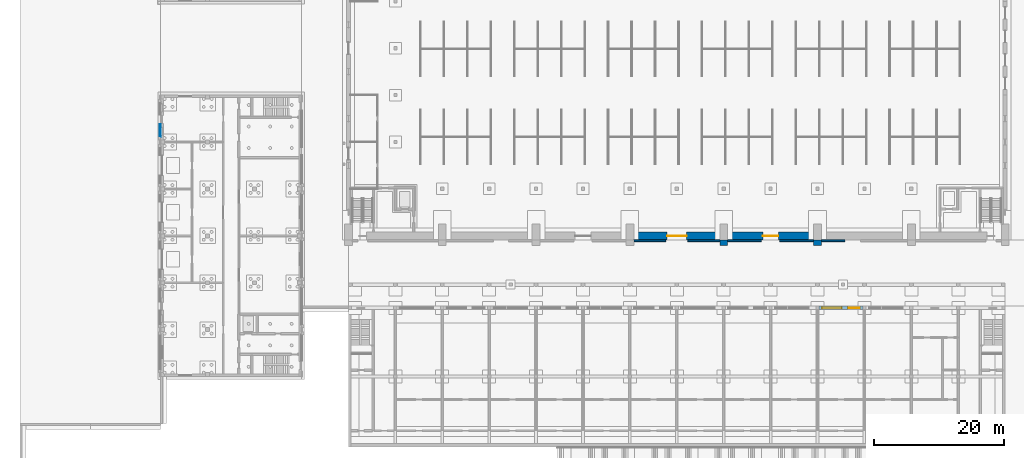
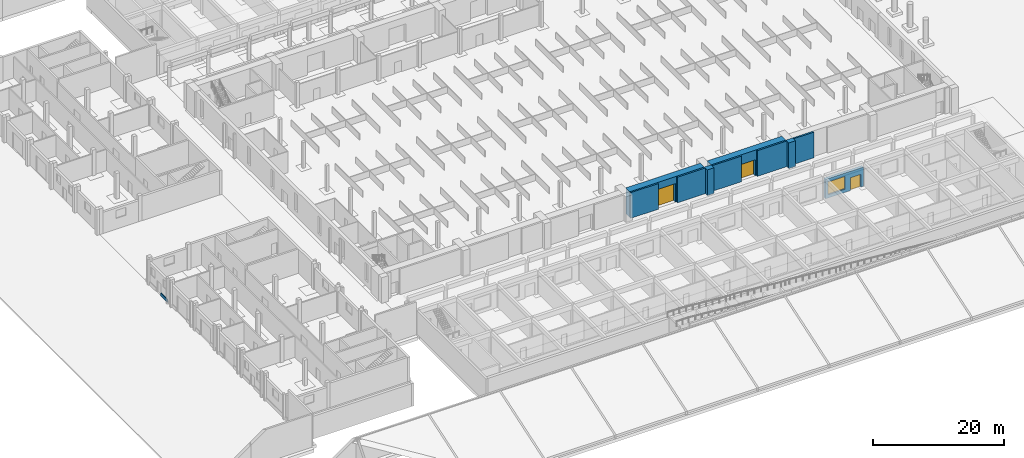
# One storey, part 36 of 73: 11 walls, 3 doors, 1 window, 4 openings.
"""IFC4 building model written with IfcOpenShell, lengths in metres."""

import ifcopenshell
import ifcopenshell.guid

model = None  # the IFC model being written
_history = None  # IfcOwnerHistory: only IFC2X3 demands one
_inside = {}  # id of a spatial element -> (the spatial element, [elements in it])
_under = {}  # id of a project, library or spatial element -> (it, [spatial elements below it])
_declared = {}  # id of a project -> (the project, [libraries it declares])
_typed = {}  # id of a type object -> (the type object, [elements of that type])
_made_of = {}  # id of a material, layer set ... -> (it, [elements and type objects made of it])


def new_model(schema):
    """Start an empty IFC model of exactly this schema.

    Asked for "IFC4X3", IfcOpenShell would pick the latest addendum, in which some entities
    have other attributes; the version numbers below select the first issue.
    IFC2X3 requires an IfcOwnerHistory on every rooted entity: one is made here for all.
    """
    global model, _history
    if schema == "IFC4X3":
        model = ifcopenshell.file(schema_version=(4, 3, 0, 0))
    else:
        model = ifcopenshell.file(schema=schema)
    _inside.clear()
    _under.clear()
    _declared.clear()
    _typed.clear()
    _made_of.clear()
    _history = None
    if model.schema == "IFC2X3":
        org = make("IfcOrganization", Name="unknown")
        user = make(
            "IfcPersonAndOrganization",
            ThePerson=make("IfcPerson", FamilyName="unknown"),
            TheOrganization=org,
        )
        app = make(
            "IfcApplication",
            ApplicationDeveloper=org,
            Version="unknown",
            ApplicationFullName="unknown",
            ApplicationIdentifier="unknown",
        )
        _history = make(
            "IfcOwnerHistory",
            OwningUser=user,
            OwningApplication=app,
            ChangeAction="ADDED",
            CreationDate=0,
        )
    return model


def make(cls, **values):
    """One entity of the class cls with the attributes given. An attribute that is None is left unset."""
    return model.create_entity(
        cls, **{name: value for name, value in values.items() if value is not None}
    )


def rooted(cls, **values):
    """An entity with a GlobalId (a new one), such as an element, a storey or a relation."""
    return make(cls, GlobalId=ifcopenshell.guid.new(), OwnerHistory=_history, **values)


def si_unit(unit_type, name, prefix=None):
    """IfcSIUnit, for example si_unit("LENGTHUNIT", "METRE", prefix="MILLI")."""
    return make("IfcSIUnit", UnitType=unit_type, Prefix=prefix, Name=name)


def assignment(units):
    """IfcUnitAssignment: the units of a project."""
    return None if units is None else make("IfcUnitAssignment", Units=units)


def point(xyz):
    """IfcCartesianPoint."""
    return None if xyz is None else make("IfcCartesianPoint", Coordinates=xyz)


def direction(xyz):
    """IfcDirection."""
    return None if xyz is None else make("IfcDirection", DirectionRatios=xyz)


def frame(location, z_axis=None, x_axis=None):
    """IfcAxis2Placement3D, a coordinate frame: its origin and axes. An axis left out is left unset."""
    return make(
        "IfcAxis2Placement3D",
        Location=point(location),
        Axis=direction(z_axis),
        RefDirection=direction(x_axis),
    )


def frame_2d(location, x_axis=None):
    """IfcAxis2Placement2D, a coordinate frame in the plane: its origin and x axis."""
    return make(
        "IfcAxis2Placement2D", Location=point(location), RefDirection=direction(x_axis)
    )


def origin():
    """The frame at (0, 0, 0) with its axes left unset."""
    return frame((0.0, 0.0, 0.0))


def place(relative_to, where):
    """IfcLocalPlacement: puts the frame where relative to a parent placement (None: the world)."""
    return make(
        "IfcLocalPlacement", PlacementRelTo=relative_to, RelativePlacement=where
    )


def context(
    kind, dimensions, precision=None, world=None, true_north=None, identifier=None
):
    """IfcGeometricRepresentationContext, for example the 3D "Model" context."""
    return make(
        "IfcGeometricRepresentationContext",
        ContextIdentifier=identifier,
        ContextType=kind,
        CoordinateSpaceDimension=dimensions,
        Precision=precision,
        WorldCoordinateSystem=world,
        TrueNorth=true_north,
    )


def subcontext(parent, identifier, kind, view, scale=None):
    """IfcGeometricRepresentationSubContext, for example "Body" below "Model"."""
    return make(
        "IfcGeometricRepresentationSubContext",
        ContextIdentifier=identifier,
        ContextType=kind,
        ParentContext=parent,
        TargetScale=scale,
        TargetView=view,
    )


def project(units=None, contexts=None):
    """IfcProject with its units and contexts."""
    return rooted(
        "IfcProject",
        Name="project",
        RepresentationContexts=contexts,
        UnitsInContext=assignment(units),
    )


def spatial(cls, under=None, at=None, **own):
    """A site, building, storey or space (cls), placed at a placement, below another one or the project."""
    s = rooted(cls, ObjectPlacement=at, **own)
    if under is not None:
        _under.setdefault(under.id(), (under, []))[1].append(s)
    return s


def profile(cls, at=None, kind="AREA", **sizes):
    """A parametric profile (cls). Its sizes go by their IFC names, for example OverallWidth=200.0."""
    return make(cls, ProfileType=kind, Position=at, **sizes)


def rectangle(**sizes):
    """IfcRectangleProfileDef."""
    return profile("IfcRectangleProfileDef", **sizes)


def extrude(swept, where, along, depth):
    """IfcExtrudedAreaSolid: the profile swept, set in the frame where, extruded along a direction by depth."""
    return make(
        "IfcExtrudedAreaSolid",
        SweptArea=swept,
        Position=where,
        ExtrudedDirection=direction(along),
        Depth=depth,
    )


def shape(context_of_items, identifier, shape_type, items):
    """IfcShapeRepresentation: the items that make up one representation, for example the "Body"."""
    return make(
        "IfcShapeRepresentation",
        ContextOfItems=context_of_items,
        RepresentationIdentifier=identifier,
        RepresentationType=shape_type,
        Items=items,
    )


def material(Name=None, Category=None):
    """IfcMaterial."""
    return make("IfcMaterial", Name=Name, Category=Category)


def layer(
    of_material, thickness, ventilated=None, Name=None, Category=None, Priority=None
):
    """IfcMaterialLayer: one layer of a wall or slab, of a material (None: an air gap)."""
    return make(
        "IfcMaterialLayer",
        Material=of_material,
        LayerThickness=thickness,
        IsVentilated=ventilated,
        Name=Name,
        Category=Category,
        Priority=Priority,
    )


def layer_set(layers, Name=None):
    """IfcMaterialLayerSet."""
    return make("IfcMaterialLayerSet", MaterialLayers=layers, LayerSetName=Name)


def made_of(thing, what):
    """Note that an element or type object is made of a material, layer set ...; save() writes the relation."""
    if what is not None:
        _made_of.setdefault(what.id(), (what, []))[1].append(thing)
    return thing


def type_object(cls, material=None, **own):
    """A type object (cls), such as IfcWallType, which elements share."""
    return made_of(rooted(cls, **own), material)


def element(
    cls,
    number,
    at=None,
    inside=None,
    cuts=None,
    type_object=None,
    material=None,
    context=None,
    identifier="Body",
    shape_type=None,
    held_by="IfcProductDefinitionShape",
    body=None,
    shapes=None,
    **own,
):
    """One element of the class cls, such as IfcWall. Its Tag is "e" and its number.

    at: its placement. inside: the storey or other place that contains it. cuts: it is an
    opening in that element (IfcRelVoidsElement). A single representation is given by context,
    identifier, shape_type and body (its items); several are given by shapes. held_by: the class
    of the entity that holds the representations. save() writes the other relations.
    """
    e = rooted(cls, Tag="e%d" % number, ObjectPlacement=at, **own)
    if body is not None:
        shapes = [shape(context, identifier, shape_type, body)]
    if shapes is not None:
        e.Representation = make(held_by, Representations=shapes)
    if inside is not None:
        _inside.setdefault(inside.id(), (inside, []))[1].append(e)
    if cuts is not None:
        rooted(
            "IfcRelVoidsElement", RelatingBuildingElement=cuts, RelatedOpeningElement=e
        )
    if type_object is not None:
        _typed.setdefault(type_object.id(), (type_object, []))[1].append(e)
    return made_of(e, material)


def fill(opening, filler):
    """IfcRelFillsElement: the door or window that sits in an opening."""
    return rooted(
        "IfcRelFillsElement",
        RelatingOpeningElement=opening,
        RelatedBuildingElement=filler,
    )


def aggregate(whole, parts):
    """IfcRelAggregates: a whole, such as a stair, and the parts it consists of."""
    return rooted("IfcRelAggregates", RelatingObject=whole, RelatedObjects=parts)


def save(model, path):
    """Write the relations noted so far, then the file.

    IfcRelAggregates (storeys below a building ...), IfcRelContainedInSpatialStructure (elements
    in a storey), IfcRelDefinesByType, IfcRelAssociatesMaterial and IfcRelDeclares: one each for
    every whole, place, type object, material and project.
    """
    for whole, parts in _under.values():
        aggregate(whole, parts)
    for where, things in _inside.values():
        rooted(
            "IfcRelContainedInSpatialStructure",
            RelatedElements=things,
            RelatingStructure=where,
        )
    for kind, things in _typed.values():
        rooted("IfcRelDefinesByType", RelatedObjects=things, RelatingType=kind)
    for what, things in _made_of.values():
        rooted("IfcRelAssociatesMaterial", RelatedObjects=things, RelatingMaterial=what)
    for by, libraries in _declared.values():
        rooted("IfcRelDeclares", RelatingContext=by, RelatedDefinitions=libraries)
    model.write(path)


model = new_model("IFC4")

# Units and contexts
model_context = context("Model", 3, precision=1e-05, world=origin(), true_north=direction((0.0, 1.0)))
body_context = subcontext(model_context, "Body", "Model", "MODEL_VIEW")
ifc_project = project(units=[si_unit("LENGTHUNIT", "METRE"), si_unit("AREAUNIT", "SQUARE_METRE"), si_unit("VOLUMEUNIT", "CUBIC_METRE"), si_unit("PLANEANGLEUNIT", "RADIAN"), si_unit("MASSUNIT", "GRAM", prefix="KILO")], contexts=[model_context])

# Site, building, storey
site_placement = place(None, origin())
site = spatial("IfcSite", under=ifc_project, at=site_placement, CompositionType="ELEMENT")
building_placement = place(site_placement, origin())
building = spatial("IfcBuilding", under=site, at=building_placement, Name="Alderwick Market Hall", CompositionType="ELEMENT")
storey_placement = place(building_placement, origin())
storey = spatial("IfcBuildingStorey", under=building, at=storey_placement, Name="LG", CompositionType="ELEMENT", Elevation=0.0)

# Wall, openings, door, window
ifc_material_1 = material(Name="Cast stone 5000 psi", Category="masonry")
ifc_layer_1 = layer(ifc_material_1, 0.5)
ifc_layer_set_1 = layer_set([ifc_layer_1], Name="Cast stone 5000 psi")
wall_type_1 = type_object("IfcWallType", Name="A Cast Stone Shopfront Wall 500", PredefinedType="SOLIDWALL", material=ifc_layer_set_1)
wall_1_placement = place(storey_placement, frame((122.64990234375, 39.35009765625, 0.0), z_axis=(0.0, 0.0, 1.0), x_axis=(1.0, 0.0, 0.0)))
wall_1 = element("IfcWall", 1, at=wall_1_placement, inside=storey, type_object=wall_type_1, Name="A.S.wall.019", PredefinedType="SOLIDWALL", context=body_context, shape_type="SweptSolid", body=[
    extrude(rectangle(XDim=6.7001953125, YDim=0.5, at=frame_2d((3.35009765625, 0.0))), origin(), (0.0, 0.0, 1.0), 3.60009765625),
])
opening_1_placement = place(wall_1_placement, frame((4.449951171875, 0.0, 0.0)))
opening_1 = element("IfcOpeningElement", 2, at=opening_1_placement, cuts=wall_1, Name="Opening A-D027", PredefinedType="OPENING", context=body_context, shape_type="SweptSolid", body=[
    extrude(rectangle(XDim=1.800048828125, YDim=2.39990234375, at=frame_2d((0.89990234375, 1.199951171875))), frame((0.0, 0.260009765625, 0.0), z_axis=(0.0, -1.0, 0.0), x_axis=(1.0, 0.0, 0.0)), (0.0, 0.0, 1.0), 0.52001953125),
])
opening_2_placement = place(wall_1_placement, frame((0.449951171875, 0.0, 0.60009765625)))
opening_2 = element("IfcOpeningElement", 3, at=opening_2_placement, cuts=wall_1, Name="Opening A-W021", PredefinedType="OPENING", context=body_context, shape_type="SweptSolid", body=[
    extrude(rectangle(XDim=3.0, YDim=2.39990234375, at=frame_2d((1.5, 1.199951171875))), frame((0.0, 0.260009765625, 0.0), z_axis=(0.0, -1.0, 0.0), x_axis=(1.0, 0.0, 0.0)), (0.0, 0.0, 1.0), 0.52001953125),
])
ifc_material_2 = material(Name="Aluminium frame and glass", Category="aluminium")
door_type_1 = type_object("IfcDoorType", Name="A Shop Double Door 1800x2400", OperationType="DOUBLE_DOOR_DOUBLE_SWING", PredefinedType="DOOR", material=ifc_material_2)
door_1_placement = place(opening_1_placement, origin())
door_1 = element("IfcDoor", 4, at=door_1_placement, inside=storey, type_object=door_type_1, Name="Kitchenware Shop entrance", OperationType="DOUBLE_DOOR_DOUBLE_SWING", OverallHeight=2.39990234375, OverallWidth=1.800048828125, PredefinedType="DOOR", context=body_context, shape_type="SweptSolid", body=[
    extrude(rectangle(XDim=1.800048828125, YDim=2.39990234375, at=frame_2d((0.89990234375, 1.199951171875))), frame((0.0, 0.02490234375, 0.0), z_axis=(0.0, -1.0, 0.0), x_axis=(1.0, 0.0, 0.0)), (0.0, 0.0, 1.0), 0.050048828125),
])
fill(opening_1, door_1)
ifc_material_3 = material(Name="Aluminium frame", Category="aluminium")
window_type = type_object("IfcWindowType", Name="A Shopfront Window 3000x2400", PartitioningType="SINGLE_PANEL", PredefinedType="WINDOW", material=ifc_material_3)
window_placement = place(opening_2_placement, origin())
window = element("IfcWindow", 5, at=window_placement, inside=storey, type_object=window_type, Name="Window A-W021", OverallHeight=2.39990234375, OverallWidth=3.0, PartitioningType="SINGLE_PANEL", PredefinedType="WINDOW", context=body_context, shape_type="SweptSolid", body=[
    extrude(rectangle(XDim=3.0, YDim=2.39990234375, at=frame_2d((1.5, 1.199951171875))), frame((0.0, 0.030029296875, 0.0), z_axis=(0.0, -1.0, 0.0), x_axis=(1.0, 0.0, 0.0)), (0.0, 0.0, 1.0), 0.06005859375),
])
fill(opening_2, window)

# Walls
ifc_layer_2 = layer(ifc_material_1, 0.1201171875)
ifc_layer_set_2 = layer_set([ifc_layer_2], Name="Cast stone 5000 psi")
wall_type_2 = type_object("IfcWallType", Name="B Cast Stone Base Course 120", PredefinedType="SOLIDWALL", material=ifc_layer_set_2)
wall_2_placement = place(storey_placement, frame((21.5400390625, 65.550048828125, 0.0), z_axis=(0.0, 0.0, 1.0), x_axis=(0.0, 1.0, 0.0)))
element("IfcWall", 6, at=wall_2_placement, inside=storey, type_object=wall_type_2, Name="B.S.base.W.15", PredefinedType="SOLIDWALL", context=body_context, shape_type="SweptSolid", body=[
    extrude(rectangle(XDim=2.0, YDim=0.1201171875, at=frame_2d((1.0, 0.0))), origin(), (0.0, 0.0, 1.0), 0.60009765625),
])
ifc_material_4 = material(Name="Cast stone 5000 psi (f'c 35 MPa), ASTM C1364", Category="masonry")
ifc_layer_3 = layer(ifc_material_4, 0.300048828125)
ifc_layer_set_3 = layer_set([ifc_layer_3], Name="Cast stone 5000 psi (f'c 35 MPa), ASTM C1364")
wall_type_3 = type_object("IfcWallType", Name="H Base course 300", PredefinedType="SOLIDWALL", material=ifc_layer_set_3)
wall_3_placement = place(storey_placement, frame((94.199951171875, 49.64990234375, 0.0), z_axis=(0.0, 0.0, 1.0), x_axis=(1.0, 0.0, 0.0)))
element("IfcWall", 7, at=wall_3_placement, inside=storey, type_object=wall_type_3, Name="Base course S4 plinth", PredefinedType="SOLIDWALL", context=body_context, shape_type="SweptSolid", body=[
    extrude(rectangle(XDim=4.900146484375, YDim=0.300048828125, at=frame_2d((2.4501953125, 0.0))), origin(), (0.0, 0.0, 1.0), 4.800048828125),
])
wall_4_placement = place(storey_placement, frame((102.5, 49.64990234375, 0.0), z_axis=(0.0, 0.0, 1.0), x_axis=(1.0, 0.0, 0.0)))
element("IfcWall", 8, at=wall_4_placement, inside=storey, type_object=wall_type_3, Name="Base course S4 plinth", PredefinedType="SOLIDWALL", context=body_context, shape_type="SweptSolid", body=[
    extrude(rectangle(XDim=4.89990234375, YDim=0.300048828125, at=frame_2d((2.449951171875, 0.0))), origin(), (0.0, 0.0, 1.0), 4.800048828125),
])
for number, where, z_axis, x_axis, name in (
    (9, (108.60009765625, 49.64990234375, 0.0), (0.0, 0.0, 1.0), (1.0, 0.0, 0.0), "Base course S5 plinth"),
    (10, (116.60009765625, 49.64990234375, 0.0), (0.0, 0.0, 1.0), (1.0, 0.0, 0.0), "Base course S5 plinth"),
):
    element("IfcWall", number, at=place(storey_placement, frame(where, z_axis=z_axis, x_axis=x_axis)), inside=storey, type_object=wall_type_3, Name=name, PredefinedType="SOLIDWALL", context=body_context, shape_type="SweptSolid", body=[
        extrude(rectangle(XDim=5.199951171875, YDim=0.300048828125, at=frame_2d((2.60009765625, 0.0))), origin(), (0.0, 0.0, 1.0), 4.800048828125),
    ])
wall_5_placement = place(storey_placement, frame((123.0, 49.64990234375, 0.0), z_axis=(0.0, 0.0, 1.0), x_axis=(1.0, 0.0, 0.0)))
element("IfcWall", 11, at=wall_5_placement, inside=storey, type_object=wall_type_3, Name="Base course S6 plinth", PredefinedType="SOLIDWALL", context=body_context, shape_type="SweptSolid", body=[
    extrude(rectangle(XDim=3.60009765625, YDim=0.300048828125, at=frame_2d((1.800048828125, 0.0))), origin(), (0.0, 0.0, 1.0), 4.800048828125),
])
ifc_material_5 = material(Name="Face brick masonry, ASTM C216 grade SW (f'm 17 MPa)", Category="masonry")
ifc_layer_4 = layer(ifc_material_5, 0.89990234375)
ifc_layer_set_4 = layer_set([ifc_layer_4], Name="Face brick masonry, ASTM C216 grade SW (f'm 17 MPa)")
wall_type_4 = type_object("IfcWallType", Name="H Buttress pier 900", PredefinedType="SOLIDWALL", material=ifc_layer_set_4)
wall_6_placement = place(storey_placement, frame((107.39990234375, 49.35009765625, 0.0), z_axis=(0.0, 0.0, 1.0), x_axis=(1.0, 0.0, 0.0)))
element("IfcWall", 12, at=wall_6_placement, inside=storey, type_object=wall_type_4, Name="Buttress pier S5", PredefinedType="SOLIDWALL", context=body_context, shape_type="SweptSolid", body=[
    extrude(rectangle(XDim=1.2001953125, YDim=0.89990234375, at=frame_2d((0.60009765625, 0.0))), origin(), (0.0, 0.0, 1.0), 4.800048828125),
])
wall_7_placement = place(storey_placement, frame((121.800048828125, 49.35009765625, 0.0), z_axis=(0.0, 0.0, 1.0), x_axis=(1.0, 0.0, 0.0)))
element("IfcWall", 13, at=wall_7_placement, inside=storey, type_object=wall_type_4, Name="Buttress pier S6", PredefinedType="SOLIDWALL", context=body_context, shape_type="SweptSolid", body=[
    extrude(rectangle(XDim=1.199951171875, YDim=0.89990234375, at=frame_2d((0.60009765625, 0.0))), origin(), (0.0, 0.0, 1.0), 4.800048828125),
])

# Wall, opening, door
ifc_material_6 = material(Name="Concrete 5000 psi (f'c 35 MPa)", Category="concrete")
ifc_layer_5 = layer(ifc_material_6, 1.199951171875)
ifc_layer_set_5 = layer_set([ifc_layer_5], Name="Concrete 5000 psi (f'c 35 MPa)")
wall_type_5 = type_object("IfcWallType", Name="H Long wall 1200", PredefinedType="SOLIDWALL", material=ifc_layer_set_5)
wall_8_placement = place(storey_placement, frame((94.199951171875, 50.39990234375, 0.0), z_axis=(0.0, 0.0, 1.0), x_axis=(1.0, 0.0, 0.0)))
wall_8 = element("IfcWall", 14, at=wall_8_placement, inside=storey, type_object=wall_type_5, Name="Long wall S LG 4", PredefinedType="SOLIDWALL", context=body_context, shape_type="SweptSolid", body=[
    extrude(rectangle(XDim=13.199951171875, YDim=1.199951171875, at=frame_2d((6.60009765625, 0.0))), origin(), (0.0, 0.0, 1.0), 4.800048828125),
])
opening_3_placement = place(wall_8_placement, frame((5.10009765625, 0.0, 0.0)))
opening_3 = element("IfcOpeningElement", 15, at=opening_3_placement, cuts=wall_8, Name="Opening H-D003", PredefinedType="OPENING", context=body_context, shape_type="SweptSolid", body=[
    extrude(rectangle(XDim=3.0, YDim=3.5, at=frame_2d((1.5, 1.75))), frame((0.0, 0.60986328125, 0.0), z_axis=(0.0, -1.0, 0.0), x_axis=(1.0, 0.0, 0.0)), (0.0, 0.0, 1.0), 1.219970703125),
])
ifc_material_7 = material(Name="Insulated steel roller shutter", Category="steel")
door_type_2 = type_object("IfcDoorType", Name="H Roller door 3000x3500", OperationType="ROLLINGUP", PredefinedType="DOOR", material=ifc_material_7)
door_2_placement = place(opening_3_placement, origin())
door_2 = element("IfcDoor", 16, at=door_2_placement, inside=storey, type_object=door_type_2, Name="Door H-D003", OperationType="ROLLINGUP", OverallHeight=3.5, OverallWidth=3.0, PredefinedType="DOOR", context=body_context, shape_type="SweptSolid", body=[
    extrude(rectangle(XDim=3.0, YDim=3.5, at=frame_2d((1.5, 1.75))), frame((0.0, 0.02490234375, 0.0), z_axis=(0.0, -1.0, 0.0), x_axis=(1.0, 0.0, 0.0)), (0.0, 0.0, 1.0), 0.050048828125),
])
fill(opening_3, door_2)

wall_9_placement = place(storey_placement, frame((108.60009765625, 50.39990234375, 0.0), z_axis=(0.0, 0.0, 1.0), x_axis=(1.0, 0.0, 0.0)))
wall_9 = element("IfcWall", 17, at=wall_9_placement, inside=storey, type_object=wall_type_5, Name="Long wall S LG 5", PredefinedType="SOLIDWALL", context=body_context, shape_type="SweptSolid", body=[
    extrude(rectangle(XDim=13.199951171875, YDim=1.199951171875, at=frame_2d((6.60009765625, 0.0))), origin(), (0.0, 0.0, 1.0), 4.800048828125),
])
opening_4_placement = place(wall_9_placement, frame((5.39990234375, 0.0, 0.0)))
opening_4 = element("IfcOpeningElement", 18, at=opening_4_placement, cuts=wall_9, Name="Opening H-D004", PredefinedType="OPENING", context=body_context, shape_type="SweptSolid", body=[
    extrude(rectangle(XDim=2.39990234375, YDim=3.0, at=frame_2d((1.199951171875, 1.5))), frame((0.0, 0.60986328125, 0.0), z_axis=(0.0, -1.0, 0.0), x_axis=(1.0, 0.0, 0.0)), (0.0, 0.0, 1.0), 1.219970703125),
])
ifc_material_8 = material(Name="Bronze-finished aluminium and glass", Category="aluminium")
door_type_3 = type_object("IfcDoorType", Name="H Entrance door 2400x3000", OperationType="DOUBLE_DOOR_SINGLE_SWING", PredefinedType="DOOR", material=ifc_material_8)
door_3_placement = place(opening_4_placement, origin())
door_3 = element("IfcDoor", 19, at=door_3_placement, inside=storey, type_object=door_type_3, Name="Door H-D004", OperationType="DOUBLE_DOOR_SINGLE_SWING", OverallHeight=3.0, OverallWidth=2.39990234375, PredefinedType="DOOR", context=body_context, shape_type="SweptSolid", body=[
    extrude(rectangle(XDim=2.39990234375, YDim=3.0, at=frame_2d((1.199951171875, 1.5))), frame((0.0, 0.02490234375, 0.0), z_axis=(0.0, -1.0, 0.0), x_axis=(1.0, 0.0, 0.0)), (0.0, 0.0, 1.0), 0.050048828125),
])
fill(opening_4, door_3)

save(model, "model.ifc")
